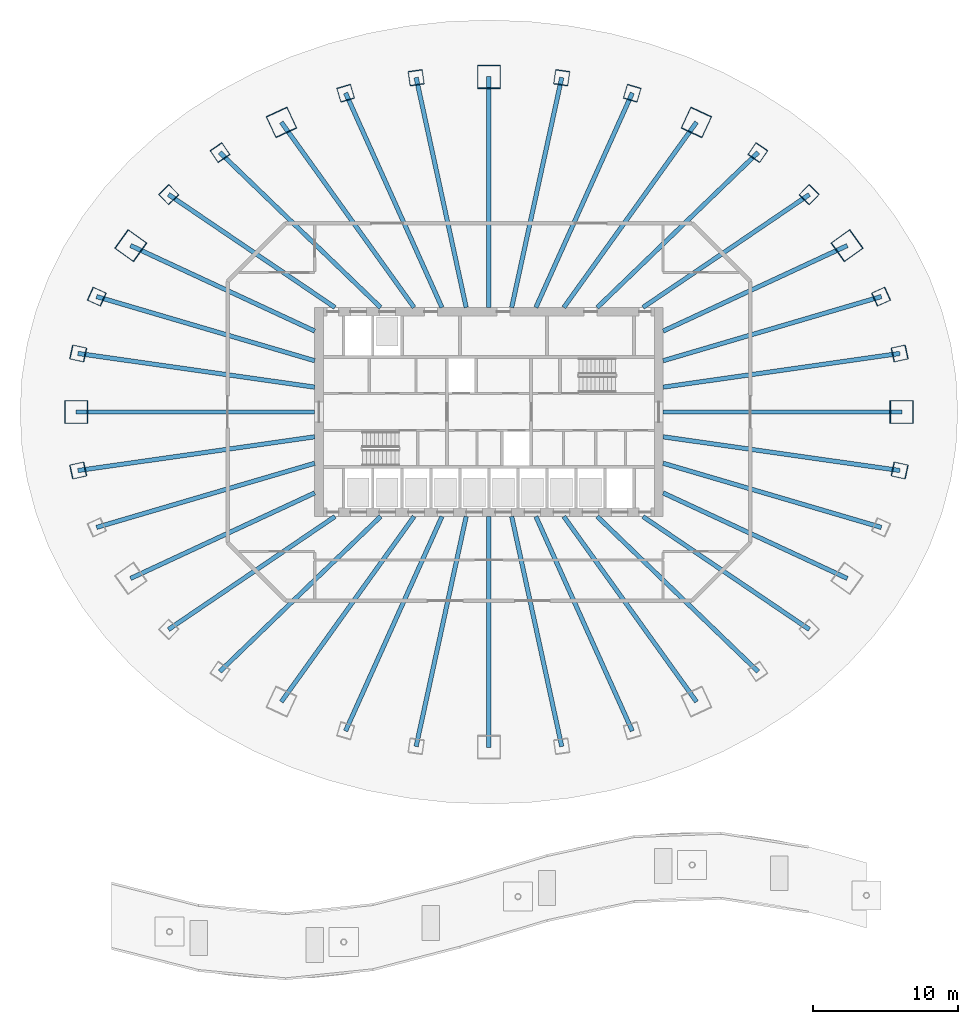
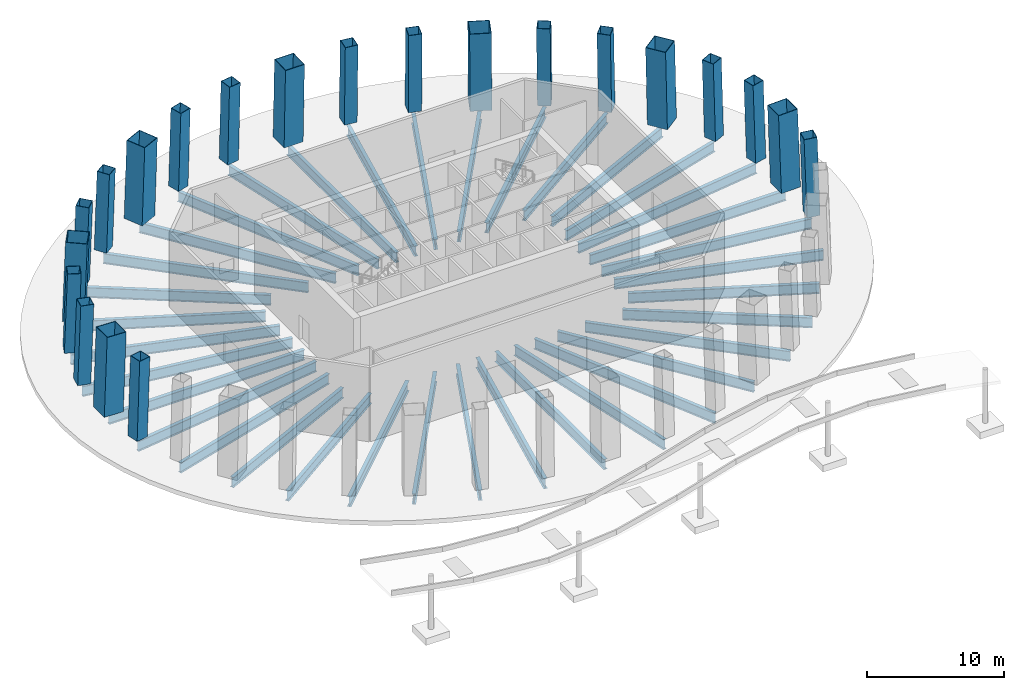
# One storey, part 4 of 10: 36 beams, 21 columns.
"""IFC4 building model written with IfcOpenShell, lengths in metres."""

from ifc_helpers import new_model, si_unit, direction, frame, origin, origin_2d, place, context, subcontext, project, spatial, hollow_rectangle, i_section, extrude, material, material_profile, profile_set, type_object, element, save


model = new_model("IFC4")

# Units and contexts
model_context = context("Model", 3, precision=1e-05, world=origin(), true_north=direction((0.0, 1.0)))
body_context = subcontext(model_context, "Body", "Model", "MODEL_VIEW")
ifc_project = project(units=[si_unit("LENGTHUNIT", "METRE"), si_unit("AREAUNIT", "SQUARE_METRE"), si_unit("VOLUMEUNIT", "CUBIC_METRE"), si_unit("PLANEANGLEUNIT", "RADIAN"), si_unit("MASSUNIT", "GRAM", prefix="KILO")], contexts=[model_context])

# Site, building, storey
site_placement = place(None, origin())
site = spatial("IfcSite", under=ifc_project, at=site_placement, CompositionType="ELEMENT")
building_placement = place(site_placement, origin())
building = spatial("IfcBuilding", under=site, at=building_placement, Name="Siaravel Broadcast Tower", CompositionType="ELEMENT")
storey_placement = place(building_placement, origin())
storey = spatial("IfcBuildingStorey", under=building, at=storey_placement, Name="L00", CompositionType="ELEMENT", Elevation=0.0)

# Columns
ifc_material_1 = material(Name="Concrete C70/85", Category="concrete")
ifc_material_profile_1 = material_profile(ifc_material_1, hollow_rectangle(XDim=1.0, YDim=1.0, WallThickness=0.031982421875, at=origin_2d()))
ifc_profile_set_1 = profile_set([ifc_material_profile_1], Name="Concrete C70/85")
column_type_1 = type_object("IfcColumnType", Name="COL-CFT BOX 1000x1000x32", PredefinedType="COLUMN", material=ifc_profile_set_1)
column_1_placement = place(storey_placement, frame((28.311279296875, 4.03369140625, 0.0), z_axis=(-0.034054879, -0.004914778, 0.99940788), x_axis=(0.212173701, -0.977228962, 0.002424122)))
element("IfcColumn", 1, at=column_1_placement, inside=storey, type_object=column_type_1, Name="Perimeter column C01", PredefinedType="COLUMN", context=body_context, shape_type="SweptSolid", body=[
    extrude(hollow_rectangle(XDim=1.0, YDim=1.0, WallThickness=0.031982421875, at=origin_2d()), origin(), (0.0, 0.0, 1.0), 7.004150390625),
])
column_2_placement = place(storey_placement, frame((27.029541015625, 7.951416015625, 0.0), z_axis=(-0.032486896, -0.009690297, 0.999425185), x_axis=(0.409435953, -0.912327946, 0.00446314)))
element("IfcColumn", 2, at=column_2_placement, inside=storey, type_object=column_type_1, Name="Perimeter column C02", PredefinedType="COLUMN", context=body_context, shape_type="SweptSolid", body=[
    extrude(hollow_rectangle(XDim=1.0, YDim=1.0, WallThickness=0.031982421875, at=origin_2d()), origin(), (0.0, 0.0, 1.0), 7.00390625),
])
column_3_placement = place(storey_placement, frame((22.072021484375, 14.98193359375, 0.0), z_axis=(-0.026527837, -0.018196493, 0.999482447), x_axis=(0.718900031, -0.695083773, 0.006426102)))
element("IfcColumn", 3, at=column_3_placement, inside=storey, type_object=column_type_1, Name="Perimeter column C03", PredefinedType="COLUMN", context=body_context, shape_type="SweptSolid", body=[
    extrude(hollow_rectangle(XDim=1.0, YDim=1.0, WallThickness=0.031982421875, at=origin_2d()), origin(), (0.0, 0.0, 1.0), 7.003662109375),
])
column_4_placement = place(storey_placement, frame((18.536376953125, 17.877685546875, 0.0), z_axis=(-0.022240937, -0.021683171, 0.999517474), x_axis=(0.827084796, -0.562042845, 0.006211267)))
element("IfcColumn", 4, at=column_4_placement, inside=storey, type_object=column_type_1, Name="Perimeter column C04", PredefinedType="COLUMN", context=body_context, shape_type="SweptSolid", body=[
    extrude(hollow_rectangle(XDim=1.0, YDim=1.0, WallThickness=0.031982421875, at=origin_2d()), origin(), (0.0, 0.0, 1.0), 7.00341796875),
])
for number, where, z_axis, x_axis, name in (
    (5, (9.87548828125, 21.972412109375, 0.0), (-0.011853219, -0.026634879, 0.999574952), (0.959338826, -0.28223067, 0.003855712), "Perimeter column C05"),
    (6, (5.015625, 23.0390625, 0.0), (-0.006031298, -0.02792526, 0.999591818), (0.989957113, -0.141353514, 0.002024219), "Perimeter column C06"),
    (7, (-5.015625, 23.0390625, 0.0), (0.006031298, -0.02792526, 0.999591818), (0.989957113, 0.141353514, -0.002024219), "Perimeter column C07"),
    (8, (-9.87548828125, 21.972412109375, 0.0), (0.011853219, -0.026634879, 0.999574952), (0.959338826, 0.28223067, -0.003855712), "Perimeter column C08"),
):
    element("IfcColumn", number, at=place(storey_placement, frame(where, z_axis=z_axis, x_axis=x_axis)), inside=storey, type_object=column_type_1, Name=name, PredefinedType="COLUMN", context=body_context, shape_type="SweptSolid", body=[
        extrude(hollow_rectangle(XDim=1.0, YDim=1.0, WallThickness=0.031982421875, at=origin_2d()), origin(), (0.0, 0.0, 1.0), 7.0029296875),
    ])
column_5_placement = place(storey_placement, frame((-18.536376953125, 17.877685546875, 0.0), z_axis=(0.022240937, -0.021683171, 0.999517474), x_axis=(0.827084796, 0.562042845, -0.006211267)))
element("IfcColumn", 9, at=column_5_placement, inside=storey, type_object=column_type_1, Name="Perimeter column C09", PredefinedType="COLUMN", context=body_context, shape_type="SweptSolid", body=[
    extrude(hollow_rectangle(XDim=1.0, YDim=1.0, WallThickness=0.031982421875, at=origin_2d()), origin(), (0.0, 0.0, 1.0), 7.00341796875),
])
column_6_placement = place(storey_placement, frame((-22.072021484375, 14.98193359375, 0.0), z_axis=(0.026527837, -0.018196493, 0.999482447), x_axis=(0.718900031, 0.695083773, -0.006426102)))
element("IfcColumn", 10, at=column_6_placement, inside=storey, type_object=column_type_1, Name="Perimeter column C10", PredefinedType="COLUMN", context=body_context, shape_type="SweptSolid", body=[
    extrude(hollow_rectangle(XDim=1.0, YDim=1.0, WallThickness=0.031982421875, at=origin_2d()), origin(), (0.0, 0.0, 1.0), 7.003662109375),
])
column_7_placement = place(storey_placement, frame((-27.029541015625, 7.951416015625, 0.0), z_axis=(0.032486896, -0.009690297, 0.999425185), x_axis=(0.409435953, 0.912327946, -0.00446314)))
element("IfcColumn", 11, at=column_7_placement, inside=storey, type_object=column_type_1, Name="Perimeter column C11", PredefinedType="COLUMN", context=body_context, shape_type="SweptSolid", body=[
    extrude(hollow_rectangle(XDim=1.0, YDim=1.0, WallThickness=0.031982421875, at=origin_2d()), origin(), (0.0, 0.0, 1.0), 7.00390625),
])
for number, where, z_axis, x_axis, name in (
    (12, (-28.311279296875, 4.03369140625, 0.0), (0.034054879, -0.004914778, 0.99940788), (0.212173701, 0.977228962, -0.002424122), "Perimeter column C12"),
    (13, (-28.311279296875, -4.03369140625, 0.0), (0.034054879, 0.004914778, 0.99940788), (-0.212173701, 0.977228962, 0.002424122), "Perimeter column C13"),
    (14, (28.311279296875, -4.03369140625, 0.0), (-0.034054879, 0.004914778, 0.99940788), (-0.212173701, -0.977228962, -0.002424122), "Perimeter column C24"),
):
    element("IfcColumn", number, at=place(storey_placement, frame(where, z_axis=z_axis, x_axis=x_axis)), inside=storey, type_object=column_type_1, Name=name, PredefinedType="COLUMN", context=body_context, shape_type="SweptSolid", body=[
        extrude(hollow_rectangle(XDim=1.0, YDim=1.0, WallThickness=0.031982421875, at=origin_2d()), origin(), (0.0, 0.0, 1.0), 7.004150390625),
    ])
ifc_material_profile_2 = material_profile(ifc_material_1, hollow_rectangle(XDim=1.60009765625, YDim=1.60009765625, WallThickness=0.0400390625, at=origin_2d()))
ifc_profile_set_2 = profile_set([ifc_material_profile_2], Name="Concrete C70/85")
column_type_2 = type_object("IfcColumnType", Name="COL-CFT BOX 1600x1600x40", PredefinedType="COLUMN", material=ifc_profile_set_2)
column_8_placement = place(storey_placement, frame((28.4423828125, 0.0, 0.0), z_axis=(-0.03461234, 0.0, 0.999400813), x_axis=(0.0, -1.0, 0.0)))
element("IfcColumn", 15, at=column_8_placement, inside=storey, type_object=column_type_2, Name="Megacolumn MC01", PredefinedType="COLUMN", context=body_context, shape_type="SweptSolid", body=[
    extrude(hollow_rectangle(XDim=1.60009765625, YDim=1.60009765625, WallThickness=0.0400390625, at=origin_2d()), origin(), (0.0, 0.0, 1.0), 7.004150390625),
])
column_9_placement = place(storey_placement, frame((24.685302734375, 11.465576171875, 0.0), z_axis=(-0.029977919, -0.014187224, 0.999449872), x_axis=(0.58190841, -0.813232852, 0.005910137)))
element("IfcColumn", 16, at=column_9_placement, inside=storey, type_object=column_type_2, Name="Megacolumn MC02", PredefinedType="COLUMN", context=body_context, shape_type="SweptSolid", body=[
    extrude(hollow_rectangle(XDim=1.60009765625, YDim=1.60009765625, WallThickness=0.0400390625, at=origin_2d()), origin(), (0.0, 0.0, 1.0), 7.00390625),
])
column_10_placement = place(storey_placement, frame((14.30078125, 19.962158203125, 0.0), z_axis=(-0.017291309, -0.024542504, 0.999549236), x_axis=(0.907302751, -0.420443645, 0.005372134)))
element("IfcColumn", 17, at=column_10_placement, inside=storey, type_object=column_type_2, Name="Megacolumn MC03", PredefinedType="COLUMN", context=body_context, shape_type="SweptSolid", body=[
    extrude(hollow_rectangle(XDim=1.60009765625, YDim=1.60009765625, WallThickness=0.0400390625, at=origin_2d()), origin(), (0.0, 0.0, 1.0), 7.003173828125),
])
column_11_placement = place(storey_placement, frame((0.0, 23.098388671875, 0.0), z_axis=(0.0, -0.028343798, 0.999598234), x_axis=(1.0, 0.0, 0.0)))
element("IfcColumn", 18, at=column_11_placement, inside=storey, type_object=column_type_2, Name="Megacolumn MC04", PredefinedType="COLUMN", context=body_context, shape_type="SweptSolid", body=[
    extrude(hollow_rectangle(XDim=1.60009765625, YDim=1.60009765625, WallThickness=0.0400390625, at=origin_2d()), origin(), (0.0, 0.0, 1.0), 7.0029296875),
])
column_12_placement = place(storey_placement, frame((-14.30078125, 19.962158203125, 0.0), z_axis=(0.017291309, -0.024542504, 0.999549236), x_axis=(0.907302751, 0.420443645, -0.005372134)))
element("IfcColumn", 19, at=column_12_placement, inside=storey, type_object=column_type_2, Name="Megacolumn MC05", PredefinedType="COLUMN", context=body_context, shape_type="SweptSolid", body=[
    extrude(hollow_rectangle(XDim=1.60009765625, YDim=1.60009765625, WallThickness=0.0400390625, at=origin_2d()), origin(), (0.0, 0.0, 1.0), 7.003173828125),
])
column_13_placement = place(storey_placement, frame((-24.685302734375, 11.465576171875, 0.0), z_axis=(0.029977919, -0.014187224, 0.999449872), x_axis=(0.58190841, 0.813232852, -0.005910137)))
element("IfcColumn", 20, at=column_13_placement, inside=storey, type_object=column_type_2, Name="Megacolumn MC06", PredefinedType="COLUMN", context=body_context, shape_type="SweptSolid", body=[
    extrude(hollow_rectangle(XDim=1.60009765625, YDim=1.60009765625, WallThickness=0.0400390625, at=origin_2d()), origin(), (0.0, 0.0, 1.0), 7.00390625),
])
column_14_placement = place(storey_placement, frame((-28.4423828125, 0.0, 0.0), z_axis=(0.03461234, 0.0, 0.999400813), x_axis=(0.0, 1.0, 0.0)))
element("IfcColumn", 21, at=column_14_placement, inside=storey, type_object=column_type_2, Name="Megacolumn MC07", PredefinedType="COLUMN", context=body_context, shape_type="SweptSolid", body=[
    extrude(hollow_rectangle(XDim=1.60009765625, YDim=1.60009765625, WallThickness=0.0400390625, at=origin_2d()), origin(), (0.0, 0.0, 1.0), 7.004150390625),
])

# Beams
ifc_material_2 = material(Name="Steel S355", Category="steel")
ifc_material_profile_3 = material_profile(ifc_material_2, i_section(OverallWidth=0.30322265625, OverallDepth=0.903076171875, WebThickness=0.01513671875, FlangeThickness=0.020263671875, FilletRadius=0.01904296875, at=origin_2d()))
ifc_profile_set_3 = profile_set([ifc_material_profile_3], Name="Steel S355")
beam_type = type_object("IfcBeamType", Name="BM-UB 914x305x201", PredefinedType="BEAM", material=ifc_profile_set_3)
beam_1_placement = place(storey_placement, frame((28.4423828125, 0.0, -0.8515625), z_axis=(-1.0, 0.0, 0.0), x_axis=(0.0, -1.0, 0.0)))
element("IfcBeam", 22, at=beam_1_placement, inside=storey, type_object=beam_type, Name="Radial beam RB01", PredefinedType="BEAM", context=body_context, shape_type="SweptSolid", body=[
    extrude(i_section(OverallWidth=0.30322265625, OverallDepth=0.903076171875, WebThickness=0.01513671875, FlangeThickness=0.020263671875, FilletRadius=0.01904296875, at=origin_2d()), origin(), (0.0, 0.0, 1.0), 16.4423828125),
])
beam_2_placement = place(storey_placement, frame((28.311279296875, 4.03369140625, -0.8515625), z_axis=(-0.990002177, -0.141052083, 0.0), x_axis=(0.141052083, -0.990002177, 0.0)))
element("IfcBeam", 23, at=beam_2_placement, inside=storey, type_object=beam_type, Name="Radial beam RB02", PredefinedType="BEAM", context=body_context, shape_type="SweptSolid", body=[
    extrude(i_section(OverallWidth=0.30322265625, OverallDepth=0.903076171875, WebThickness=0.01513671875, FlangeThickness=0.020263671875, FilletRadius=0.01904296875, at=origin_2d()), origin(), (0.0, 0.0, 1.0), 16.47607421875),
])
beam_3_placement = place(storey_placement, frame((27.029541015625, 7.951416015625, -0.8515625), z_axis=(-0.95934937, -0.282221164, 0.0), x_axis=(0.282221164, -0.95934937, 0.0)))
element("IfcBeam", 24, at=beam_3_placement, inside=storey, type_object=beam_type, Name="Radial beam RB03", PredefinedType="BEAM", context=body_context, shape_type="SweptSolid", body=[
    extrude(i_section(OverallWidth=0.30322265625, OverallDepth=0.903076171875, WebThickness=0.01513671875, FlangeThickness=0.020263671875, FilletRadius=0.01904296875, at=origin_2d()), origin(), (0.0, 0.0, 1.0), 15.66650390625),
])
beam_4_placement = place(storey_placement, frame((24.685302734375, 11.465576171875, -0.8515625), z_axis=(-0.906941096, -0.421257461, 0.0), x_axis=(0.421257461, -0.906941096, 0.0)))
element("IfcBeam", 25, at=beam_4_placement, inside=storey, type_object=beam_type, Name="Radial beam RB04", PredefinedType="BEAM", context=body_context, shape_type="SweptSolid", body=[
    extrude(i_section(OverallWidth=0.30322265625, OverallDepth=0.903076171875, WebThickness=0.01513671875, FlangeThickness=0.020263671875, FilletRadius=0.01904296875, at=origin_2d()), origin(), (0.0, 0.0, 1.0), 13.98681640625),
])
beam_5_placement = place(storey_placement, frame((22.072021484375, 14.98193359375, -0.8515625), z_axis=(-0.82739975, -0.561613438, 0.0), x_axis=(0.561613438, -0.82739975, 0.0)))
element("IfcBeam", 26, at=beam_5_placement, inside=storey, type_object=beam_type, Name="Radial beam RB05", PredefinedType="BEAM", context=body_context, shape_type="SweptSolid", body=[
    extrude(i_section(OverallWidth=0.30322265625, OverallDepth=0.903076171875, WebThickness=0.01513671875, FlangeThickness=0.020263671875, FilletRadius=0.01904296875, at=origin_2d()), origin(), (0.0, 0.0, 1.0), 13.8564453125),
])
beam_6_placement = place(storey_placement, frame((18.536376953125, 17.877685546875, -0.8515625), z_axis=(-0.719784244, -0.694197841, 0.0), x_axis=(0.694197841, -0.719784244, 0.0)))
element("IfcBeam", 27, at=beam_6_placement, inside=storey, type_object=beam_type, Name="Radial beam RB06", PredefinedType="BEAM", context=body_context, shape_type="SweptSolid", body=[
    extrude(i_section(OverallWidth=0.30322265625, OverallDepth=0.903076171875, WebThickness=0.01513671875, FlangeThickness=0.020263671875, FilletRadius=0.01904296875, at=origin_2d()), origin(), (0.0, 0.0, 1.0), 15.38134765625),
])
beam_7_placement = place(storey_placement, frame((14.30078125, 19.962158203125, -0.8515625), z_axis=(-0.582364474, -0.812927807, 0.0), x_axis=(0.812927807, -0.582364474, 0.0)))
element("IfcBeam", 28, at=beam_7_placement, inside=storey, type_object=beam_type, Name="Radial beam RB07", PredefinedType="BEAM", context=body_context, shape_type="SweptSolid", body=[
    extrude(i_section(OverallWidth=0.30322265625, OverallDepth=0.903076171875, WebThickness=0.01513671875, FlangeThickness=0.020263671875, FilletRadius=0.01904296875, at=origin_2d()), origin(), (0.0, 0.0, 1.0), 15.698974609375),
])
beam_8_placement = place(storey_placement, frame((9.87548828125, 21.972412109375, -0.8515625), z_axis=(-0.409943433, -0.912110948, 0.0), x_axis=(0.912110948, -0.409943433, 0.0)))
element("IfcBeam", 29, at=beam_8_placement, inside=storey, type_object=beam_type, Name="Radial beam RB08", PredefinedType="BEAM", context=body_context, shape_type="SweptSolid", body=[
    extrude(i_section(OverallWidth=0.30322265625, OverallDepth=0.903076171875, WebThickness=0.01513671875, FlangeThickness=0.020263671875, FilletRadius=0.01904296875, at=origin_2d()), origin(), (0.0, 0.0, 1.0), 16.19580078125),
])
beam_9_placement = place(storey_placement, frame((5.015625, 23.0390625, -0.8515625), z_axis=(-0.212721639, -0.977112841, 0.0), x_axis=(0.977112841, -0.212721639, 0.0)))
element("IfcBeam", 30, at=beam_9_placement, inside=storey, type_object=beam_type, Name="Radial beam RB09", PredefinedType="BEAM", context=body_context, shape_type="SweptSolid", body=[
    extrude(i_section(OverallWidth=0.30322265625, OverallDepth=0.903076171875, WebThickness=0.01513671875, FlangeThickness=0.020263671875, FilletRadius=0.01904296875, at=origin_2d()), origin(), (0.0, 0.0, 1.0), 16.210205078125),
])
beam_10_placement = place(storey_placement, frame((0.0, 23.098388671875, -0.8515625), z_axis=(0.0, -1.0, 0.0), x_axis=(1.0, 0.0, 0.0)))
element("IfcBeam", 31, at=beam_10_placement, inside=storey, type_object=beam_type, Name="Radial beam RB10", PredefinedType="BEAM", context=body_context, shape_type="SweptSolid", body=[
    extrude(i_section(OverallWidth=0.30322265625, OverallDepth=0.903076171875, WebThickness=0.01513671875, FlangeThickness=0.020263671875, FilletRadius=0.01904296875, at=origin_2d()), origin(), (0.0, 0.0, 1.0), 15.8984375),
])
beam_11_placement = place(storey_placement, frame((-5.015625, 23.0390625, -0.8515625), z_axis=(0.212721639, -0.977112841, 0.0), x_axis=(0.977112841, 0.212721639, 0.0)))
element("IfcBeam", 32, at=beam_11_placement, inside=storey, type_object=beam_type, Name="Radial beam RB11", PredefinedType="BEAM", context=body_context, shape_type="SweptSolid", body=[
    extrude(i_section(OverallWidth=0.30322265625, OverallDepth=0.903076171875, WebThickness=0.01513671875, FlangeThickness=0.020263671875, FilletRadius=0.01904296875, at=origin_2d()), origin(), (0.0, 0.0, 1.0), 16.210205078125),
])
beam_12_placement = place(storey_placement, frame((-9.87548828125, 21.972412109375, -0.8515625), z_axis=(0.409943433, -0.912110948, 0.0), x_axis=(0.912110948, 0.409943433, 0.0)))
element("IfcBeam", 33, at=beam_12_placement, inside=storey, type_object=beam_type, Name="Radial beam RB12", PredefinedType="BEAM", context=body_context, shape_type="SweptSolid", body=[
    extrude(i_section(OverallWidth=0.30322265625, OverallDepth=0.903076171875, WebThickness=0.01513671875, FlangeThickness=0.020263671875, FilletRadius=0.01904296875, at=origin_2d()), origin(), (0.0, 0.0, 1.0), 16.19580078125),
])
beam_13_placement = place(storey_placement, frame((-14.30078125, 19.962158203125, -0.8515625), z_axis=(0.582364474, -0.812927807, 0.0), x_axis=(0.812927807, 0.582364474, 0.0)))
element("IfcBeam", 34, at=beam_13_placement, inside=storey, type_object=beam_type, Name="Radial beam RB13", PredefinedType="BEAM", context=body_context, shape_type="SweptSolid", body=[
    extrude(i_section(OverallWidth=0.30322265625, OverallDepth=0.903076171875, WebThickness=0.01513671875, FlangeThickness=0.020263671875, FilletRadius=0.01904296875, at=origin_2d()), origin(), (0.0, 0.0, 1.0), 15.698974609375),
])
beam_14_placement = place(storey_placement, frame((-18.536376953125, 17.877685546875, -0.8515625), z_axis=(0.719784244, -0.694197841, 0.0), x_axis=(0.694197841, 0.719784244, 0.0)))
element("IfcBeam", 35, at=beam_14_placement, inside=storey, type_object=beam_type, Name="Radial beam RB14", PredefinedType="BEAM", context=body_context, shape_type="SweptSolid", body=[
    extrude(i_section(OverallWidth=0.30322265625, OverallDepth=0.903076171875, WebThickness=0.01513671875, FlangeThickness=0.020263671875, FilletRadius=0.01904296875, at=origin_2d()), origin(), (0.0, 0.0, 1.0), 15.38134765625),
])
beam_15_placement = place(storey_placement, frame((-22.072021484375, 14.98193359375, -0.8515625), z_axis=(0.82739975, -0.561613438, 0.0), x_axis=(0.561613438, 0.82739975, 0.0)))
element("IfcBeam", 36, at=beam_15_placement, inside=storey, type_object=beam_type, Name="Radial beam RB15", PredefinedType="BEAM", context=body_context, shape_type="SweptSolid", body=[
    extrude(i_section(OverallWidth=0.30322265625, OverallDepth=0.903076171875, WebThickness=0.01513671875, FlangeThickness=0.020263671875, FilletRadius=0.01904296875, at=origin_2d()), origin(), (0.0, 0.0, 1.0), 13.8564453125),
])
beam_16_placement = place(storey_placement, frame((-24.685302734375, 11.465576171875, -0.8515625), z_axis=(0.906941096, -0.421257461, 0.0), x_axis=(0.421257461, 0.906941096, 0.0)))
element("IfcBeam", 37, at=beam_16_placement, inside=storey, type_object=beam_type, Name="Radial beam RB16", PredefinedType="BEAM", context=body_context, shape_type="SweptSolid", body=[
    extrude(i_section(OverallWidth=0.30322265625, OverallDepth=0.903076171875, WebThickness=0.01513671875, FlangeThickness=0.020263671875, FilletRadius=0.01904296875, at=origin_2d()), origin(), (0.0, 0.0, 1.0), 13.98681640625),
])
beam_17_placement = place(storey_placement, frame((-27.029541015625, 7.951416015625, -0.8515625), z_axis=(0.95934937, -0.282221164, 0.0), x_axis=(0.282221164, 0.95934937, 0.0)))
element("IfcBeam", 38, at=beam_17_placement, inside=storey, type_object=beam_type, Name="Radial beam RB17", PredefinedType="BEAM", context=body_context, shape_type="SweptSolid", body=[
    extrude(i_section(OverallWidth=0.30322265625, OverallDepth=0.903076171875, WebThickness=0.01513671875, FlangeThickness=0.020263671875, FilletRadius=0.01904296875, at=origin_2d()), origin(), (0.0, 0.0, 1.0), 15.66650390625),
])
beam_18_placement = place(storey_placement, frame((-28.311279296875, 4.03369140625, -0.8515625), z_axis=(0.990002177, -0.141052083, 0.0), x_axis=(0.141052083, 0.990002177, 0.0)))
element("IfcBeam", 39, at=beam_18_placement, inside=storey, type_object=beam_type, Name="Radial beam RB18", PredefinedType="BEAM", context=body_context, shape_type="SweptSolid", body=[
    extrude(i_section(OverallWidth=0.30322265625, OverallDepth=0.903076171875, WebThickness=0.01513671875, FlangeThickness=0.020263671875, FilletRadius=0.01904296875, at=origin_2d()), origin(), (0.0, 0.0, 1.0), 16.47607421875),
])
beam_19_placement = place(storey_placement, frame((-28.4423828125, 0.0, -0.8515625), z_axis=(1.0, 0.0, 0.0), x_axis=(0.0, 1.0, 0.0)))
element("IfcBeam", 40, at=beam_19_placement, inside=storey, type_object=beam_type, Name="Radial beam RB19", PredefinedType="BEAM", context=body_context, shape_type="SweptSolid", body=[
    extrude(i_section(OverallWidth=0.30322265625, OverallDepth=0.903076171875, WebThickness=0.01513671875, FlangeThickness=0.020263671875, FilletRadius=0.01904296875, at=origin_2d()), origin(), (0.0, 0.0, 1.0), 16.4423828125),
])
beam_20_placement = place(storey_placement, frame((-28.311279296875, -4.03369140625, -0.8515625), z_axis=(0.990002177, 0.141052083, 0.0), x_axis=(-0.141052083, 0.990002177, 0.0)))
element("IfcBeam", 41, at=beam_20_placement, inside=storey, type_object=beam_type, Name="Radial beam RB20", PredefinedType="BEAM", context=body_context, shape_type="SweptSolid", body=[
    extrude(i_section(OverallWidth=0.30322265625, OverallDepth=0.903076171875, WebThickness=0.01513671875, FlangeThickness=0.020263671875, FilletRadius=0.01904296875, at=origin_2d()), origin(), (0.0, 0.0, 1.0), 16.47607421875),
])
beam_21_placement = place(storey_placement, frame((-27.029541015625, -7.951416015625, -0.8515625), z_axis=(0.95934937, 0.282221164, 0.0), x_axis=(-0.282221164, 0.95934937, 0.0)))
element("IfcBeam", 42, at=beam_21_placement, inside=storey, type_object=beam_type, Name="Radial beam RB21", PredefinedType="BEAM", context=body_context, shape_type="SweptSolid", body=[
    extrude(i_section(OverallWidth=0.30322265625, OverallDepth=0.903076171875, WebThickness=0.01513671875, FlangeThickness=0.020263671875, FilletRadius=0.01904296875, at=origin_2d()), origin(), (0.0, 0.0, 1.0), 15.66650390625),
])
beam_22_placement = place(storey_placement, frame((-24.685302734375, -11.465576171875, -0.8515625), z_axis=(0.906941096, 0.421257461, 0.0), x_axis=(-0.421257461, 0.906941096, 0.0)))
element("IfcBeam", 43, at=beam_22_placement, inside=storey, type_object=beam_type, Name="Radial beam RB22", PredefinedType="BEAM", context=body_context, shape_type="SweptSolid", body=[
    extrude(i_section(OverallWidth=0.30322265625, OverallDepth=0.903076171875, WebThickness=0.01513671875, FlangeThickness=0.020263671875, FilletRadius=0.01904296875, at=origin_2d()), origin(), (0.0, 0.0, 1.0), 13.98681640625),
])
beam_23_placement = place(storey_placement, frame((-22.072021484375, -14.98193359375, -0.8515625), z_axis=(0.82739975, 0.561613438, 0.0), x_axis=(-0.561613438, 0.82739975, 0.0)))
element("IfcBeam", 44, at=beam_23_placement, inside=storey, type_object=beam_type, Name="Radial beam RB23", PredefinedType="BEAM", context=body_context, shape_type="SweptSolid", body=[
    extrude(i_section(OverallWidth=0.30322265625, OverallDepth=0.903076171875, WebThickness=0.01513671875, FlangeThickness=0.020263671875, FilletRadius=0.01904296875, at=origin_2d()), origin(), (0.0, 0.0, 1.0), 13.8564453125),
])
beam_24_placement = place(storey_placement, frame((-18.536376953125, -17.877685546875, -0.8515625), z_axis=(0.719784244, 0.694197841, 0.0), x_axis=(-0.694197841, 0.719784244, 0.0)))
element("IfcBeam", 45, at=beam_24_placement, inside=storey, type_object=beam_type, Name="Radial beam RB24", PredefinedType="BEAM", context=body_context, shape_type="SweptSolid", body=[
    extrude(i_section(OverallWidth=0.30322265625, OverallDepth=0.903076171875, WebThickness=0.01513671875, FlangeThickness=0.020263671875, FilletRadius=0.01904296875, at=origin_2d()), origin(), (0.0, 0.0, 1.0), 15.38134765625),
])
beam_25_placement = place(storey_placement, frame((-14.30078125, -19.962158203125, -0.8515625), z_axis=(0.582364474, 0.812927807, 0.0), x_axis=(-0.812927807, 0.582364474, 0.0)))
element("IfcBeam", 46, at=beam_25_placement, inside=storey, type_object=beam_type, Name="Radial beam RB25", PredefinedType="BEAM", context=body_context, shape_type="SweptSolid", body=[
    extrude(i_section(OverallWidth=0.30322265625, OverallDepth=0.903076171875, WebThickness=0.01513671875, FlangeThickness=0.020263671875, FilletRadius=0.01904296875, at=origin_2d()), origin(), (0.0, 0.0, 1.0), 15.698974609375),
])
beam_26_placement = place(storey_placement, frame((-9.87548828125, -21.972412109375, -0.8515625), z_axis=(0.409943433, 0.912110948, 0.0), x_axis=(-0.912110948, 0.409943433, 0.0)))
element("IfcBeam", 47, at=beam_26_placement, inside=storey, type_object=beam_type, Name="Radial beam RB26", PredefinedType="BEAM", context=body_context, shape_type="SweptSolid", body=[
    extrude(i_section(OverallWidth=0.30322265625, OverallDepth=0.903076171875, WebThickness=0.01513671875, FlangeThickness=0.020263671875, FilletRadius=0.01904296875, at=origin_2d()), origin(), (0.0, 0.0, 1.0), 16.19580078125),
])
beam_27_placement = place(storey_placement, frame((-5.015625, -23.0390625, -0.8515625), z_axis=(0.212721639, 0.977112841, 0.0), x_axis=(-0.977112841, 0.212721639, 0.0)))
element("IfcBeam", 48, at=beam_27_placement, inside=storey, type_object=beam_type, Name="Radial beam RB27", PredefinedType="BEAM", context=body_context, shape_type="SweptSolid", body=[
    extrude(i_section(OverallWidth=0.30322265625, OverallDepth=0.903076171875, WebThickness=0.01513671875, FlangeThickness=0.020263671875, FilletRadius=0.01904296875, at=origin_2d()), origin(), (0.0, 0.0, 1.0), 16.210205078125),
])
beam_28_placement = place(storey_placement, frame((0.0, -23.098388671875, -0.8515625), z_axis=(0.0, 1.0, 0.0), x_axis=(-1.0, 0.0, 0.0)))
element("IfcBeam", 49, at=beam_28_placement, inside=storey, type_object=beam_type, Name="Radial beam RB28", PredefinedType="BEAM", context=body_context, shape_type="SweptSolid", body=[
    extrude(i_section(OverallWidth=0.30322265625, OverallDepth=0.903076171875, WebThickness=0.01513671875, FlangeThickness=0.020263671875, FilletRadius=0.01904296875, at=origin_2d()), origin(), (0.0, 0.0, 1.0), 15.8984375),
])
beam_29_placement = place(storey_placement, frame((5.015625, -23.0390625, -0.8515625), z_axis=(-0.212721639, 0.977112841, 0.0), x_axis=(-0.977112841, -0.212721639, 0.0)))
element("IfcBeam", 50, at=beam_29_placement, inside=storey, type_object=beam_type, Name="Radial beam RB29", PredefinedType="BEAM", context=body_context, shape_type="SweptSolid", body=[
    extrude(i_section(OverallWidth=0.30322265625, OverallDepth=0.903076171875, WebThickness=0.01513671875, FlangeThickness=0.020263671875, FilletRadius=0.01904296875, at=origin_2d()), origin(), (0.0, 0.0, 1.0), 16.210205078125),
])
beam_30_placement = place(storey_placement, frame((9.87548828125, -21.972412109375, -0.8515625), z_axis=(-0.409943433, 0.912110948, 0.0), x_axis=(-0.912110948, -0.409943433, 0.0)))
element("IfcBeam", 51, at=beam_30_placement, inside=storey, type_object=beam_type, Name="Radial beam RB30", PredefinedType="BEAM", context=body_context, shape_type="SweptSolid", body=[
    extrude(i_section(OverallWidth=0.30322265625, OverallDepth=0.903076171875, WebThickness=0.01513671875, FlangeThickness=0.020263671875, FilletRadius=0.01904296875, at=origin_2d()), origin(), (0.0, 0.0, 1.0), 16.19580078125),
])
beam_31_placement = place(storey_placement, frame((14.30078125, -19.962158203125, -0.8515625), z_axis=(-0.582364474, 0.812927807, 0.0), x_axis=(-0.812927807, -0.582364474, 0.0)))
element("IfcBeam", 52, at=beam_31_placement, inside=storey, type_object=beam_type, Name="Radial beam RB31", PredefinedType="BEAM", context=body_context, shape_type="SweptSolid", body=[
    extrude(i_section(OverallWidth=0.30322265625, OverallDepth=0.903076171875, WebThickness=0.01513671875, FlangeThickness=0.020263671875, FilletRadius=0.01904296875, at=origin_2d()), origin(), (0.0, 0.0, 1.0), 15.698974609375),
])
beam_32_placement = place(storey_placement, frame((18.536376953125, -17.877685546875, -0.8515625), z_axis=(-0.719784244, 0.694197841, 0.0), x_axis=(-0.694197841, -0.719784244, 0.0)))
element("IfcBeam", 53, at=beam_32_placement, inside=storey, type_object=beam_type, Name="Radial beam RB32", PredefinedType="BEAM", context=body_context, shape_type="SweptSolid", body=[
    extrude(i_section(OverallWidth=0.30322265625, OverallDepth=0.903076171875, WebThickness=0.01513671875, FlangeThickness=0.020263671875, FilletRadius=0.01904296875, at=origin_2d()), origin(), (0.0, 0.0, 1.0), 15.38134765625),
])
beam_33_placement = place(storey_placement, frame((22.072021484375, -14.98193359375, -0.8515625), z_axis=(-0.82739975, 0.561613438, 0.0), x_axis=(-0.561613438, -0.82739975, 0.0)))
element("IfcBeam", 54, at=beam_33_placement, inside=storey, type_object=beam_type, Name="Radial beam RB33", PredefinedType="BEAM", context=body_context, shape_type="SweptSolid", body=[
    extrude(i_section(OverallWidth=0.30322265625, OverallDepth=0.903076171875, WebThickness=0.01513671875, FlangeThickness=0.020263671875, FilletRadius=0.01904296875, at=origin_2d()), origin(), (0.0, 0.0, 1.0), 13.8564453125),
])
beam_34_placement = place(storey_placement, frame((24.685302734375, -11.465576171875, -0.8515625), z_axis=(-0.906941096, 0.421257461, 0.0), x_axis=(-0.421257461, -0.906941096, 0.0)))
element("IfcBeam", 55, at=beam_34_placement, inside=storey, type_object=beam_type, Name="Radial beam RB34", PredefinedType="BEAM", context=body_context, shape_type="SweptSolid", body=[
    extrude(i_section(OverallWidth=0.30322265625, OverallDepth=0.903076171875, WebThickness=0.01513671875, FlangeThickness=0.020263671875, FilletRadius=0.01904296875, at=origin_2d()), origin(), (0.0, 0.0, 1.0), 13.98681640625),
])
beam_35_placement = place(storey_placement, frame((27.029541015625, -7.951416015625, -0.8515625), z_axis=(-0.95934937, 0.282221164, 0.0), x_axis=(-0.282221164, -0.95934937, 0.0)))
element("IfcBeam", 56, at=beam_35_placement, inside=storey, type_object=beam_type, Name="Radial beam RB35", PredefinedType="BEAM", context=body_context, shape_type="SweptSolid", body=[
    extrude(i_section(OverallWidth=0.30322265625, OverallDepth=0.903076171875, WebThickness=0.01513671875, FlangeThickness=0.020263671875, FilletRadius=0.01904296875, at=origin_2d()), origin(), (0.0, 0.0, 1.0), 15.66650390625),
])
beam_36_placement = place(storey_placement, frame((28.311279296875, -4.03369140625, -0.8515625), z_axis=(-0.990002177, 0.141052083, 0.0), x_axis=(-0.141052083, -0.990002177, 0.0)))
element("IfcBeam", 57, at=beam_36_placement, inside=storey, type_object=beam_type, Name="Radial beam RB36", PredefinedType="BEAM", context=body_context, shape_type="SweptSolid", body=[
    extrude(i_section(OverallWidth=0.30322265625, OverallDepth=0.903076171875, WebThickness=0.01513671875, FlangeThickness=0.020263671875, FilletRadius=0.01904296875, at=origin_2d()), origin(), (0.0, 0.0, 1.0), 16.47607421875),
])

save(model, "model.ifc")
